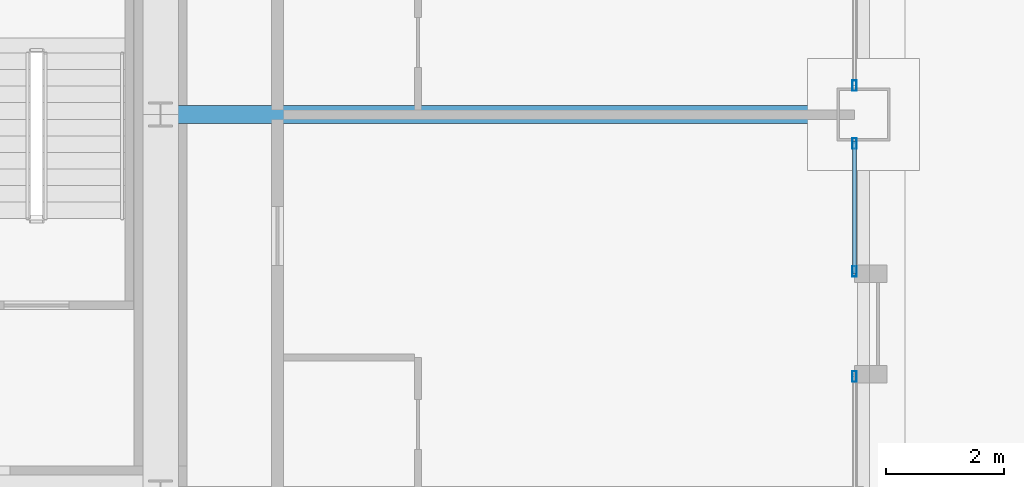
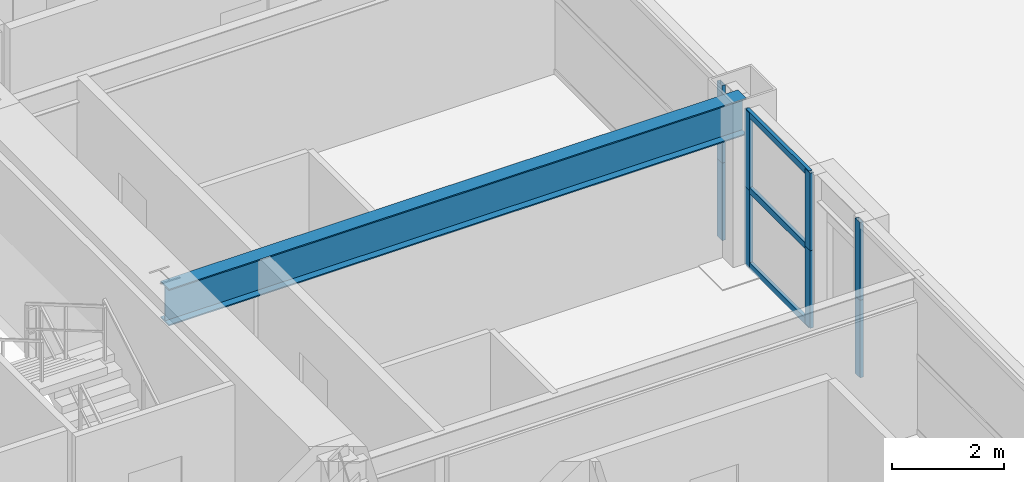
# One storey, part 19 of 45: 11 members, 1 beam, 3 elements without a shape of their own.
"""IFC4 building model written with IfcOpenShell, lengths in metres."""

from ifc_helpers import new_model, si_unit, direction, frame, origin, origin_2d, place, context, subcontext, project, spatial, hollow_rectangle, i_section, extrude, source, transform, mapped, material, layer, layer_set, material_profile, profile_set, type_object, element, aggregate, save


model = new_model("IFC4")

# Units and contexts
model_context = context("Model", 3, precision=1e-05, world=origin(), true_north=direction((0.0, 1.0)))
body_context = subcontext(model_context, "Body", "Model", "MODEL_VIEW")
ifc_project = project(units=[si_unit("LENGTHUNIT", "METRE"), si_unit("AREAUNIT", "SQUARE_METRE"), si_unit("VOLUMEUNIT", "CUBIC_METRE"), si_unit("PLANEANGLEUNIT", "RADIAN"), si_unit("MASSUNIT", "GRAM", prefix="KILO"), si_unit("THERMODYNAMICTEMPERATUREUNIT", "KELVIN"), si_unit("POWERUNIT", "WATT")], contexts=[model_context])

# Site, building, storey
site_placement = place(None, origin())
site = spatial("IfcSite", under=ifc_project, at=site_placement, CompositionType="ELEMENT")
building_placement = place(site_placement, origin())
building = spatial("IfcBuilding", under=site, at=building_placement, Name="Yuzanri Waterfront Tower", CompositionType="ELEMENT")
storey_placement = place(building_placement, frame((0.0, 0.0, 30.60009765625)))
storey = spatial("IfcBuildingStorey", under=building, at=storey_placement, Name="L07", CompositionType="ELEMENT", Elevation=30.60009765625)

# Beam
ifc_material_1 = material(Name="Steel Q355B", Category="steel")
ifc_material_profile_1 = material_profile(ifc_material_1, i_section(OverallWidth=0.300048828125, OverallDepth=0.800048828125, WebThickness=0.013916015625, FlangeThickness=0.02587890625, at=origin_2d()), Name="HN 800x300x14x26")
ifc_profile_set_1 = profile_set([ifc_material_profile_1], Name="Steel Q355B")
beam_type = type_object("IfcBeamType", Name="Primary Floor Girder Q355B HN 800x300", PredefinedType="BEAM", material=ifc_profile_set_1)
shared_shape_1 = source(origin(), body_context, "Body", "SweptSolid", [
    extrude(i_section(OverallWidth=0.300048828125, OverallDepth=0.800048828125, WebThickness=0.013916015625, FlangeThickness=0.02587890625, at=origin_2d()), origin(), (0.0, 0.0, 1.0), 11.900146484375),
])
beam_placement = place(storey_placement, frame((50.199951171875, 25.800048828125, 2.97998046875), z_axis=(1.0, 0.0, 0.0), x_axis=(0.0, 1.0, 0.0)))
element("IfcBeam", 1, at=beam_placement, inside=storey, type_object=beam_type, Name="L07 East Grid Girder", PredefinedType="BEAM", context=body_context, shape_type="MappedRepresentation", body=[
    mapped(shared_shape_1, transform((0.0, 0.0, 0.0), scale=1.0)),
])

# Curtain wall, members
ifc_material_2 = material(Name="Anodized Architectural Bronze", Category="metal")
ifc_layer = layer(ifc_material_2, 0.159912109375)
ifc_layer_set = layer_set([ifc_layer], Name="Anodized Architectural Bronze")
curtain_wall_type = type_object("IfcCurtainWallType", Name="Anodized Bronze Hotel Lower-Tier Recessed Unitized Curtain Wall 8100", PredefinedType="NOTDEFINED", material=ifc_layer_set)
curtain_wall_1_placement = place(storey_placement, origin())
curtain_wall_1 = element("IfcCurtainWall", 2, at=curtain_wall_1_placement, inside=storey, type_object=curtain_wall_type, Name="L07 Curtain Wall CW-L07-EL1", PredefinedType="NOTDEFINED")
ifc_material_3 = material(Name="Anodized Architectural Bronze", Category="metal")
ifc_material_profile_2 = material_profile(ifc_material_3, hollow_rectangle(XDim=0.070068359375, YDim=0.179931640625, WallThickness=0.00390625, at=origin_2d()), Name="CWM 70x180")
ifc_profile_set_2 = profile_set([ifc_material_profile_2], Name="Anodized Architectural Bronze")
member_type_1 = type_object("IfcMemberType", Name="Anodized Bronze Standard Curtain-Wall Mullion 70x180", PredefinedType="MULLION", material=ifc_profile_set_2)
shared_shape_2 = source(origin(), body_context, "Body", "SweptSolid", [
    extrude(hollow_rectangle(XDim=0.070068359375, YDim=0.179931640625, WallThickness=0.00390625, at=origin_2d()), origin(), (0.0, 0.0, 1.0), 1.68798828125),
])
member_1_placement = place(storey_placement, frame((61.949951171875, 21.364990234375, 0.0), z_axis=(0.0, 0.0, 1.0), x_axis=(1.0, 0.0, 0.0)))
member_1 = element("IfcMember", 3, at=member_1_placement, type_object=member_type_1, Name="CW-L07-EL1 Lower Mullion 02", PredefinedType="MULLION", context=body_context, shape_type="MappedRepresentation", body=[
    mapped(shared_shape_2, transform((0.0, 0.0, 0.0), scale=1.0)),
])
member_2_placement = place(storey_placement, frame((61.949951171875, 21.364990234375, 1.69189453125), z_axis=(0.0, 0.0, 1.0), x_axis=(1.0, 0.0, 0.0)))
member_2 = element("IfcMember", 4, at=member_2_placement, type_object=member_type_1, Name="CW-L07-EL1 Upper Mullion 02", PredefinedType="MULLION", context=body_context, shape_type="MappedRepresentation", body=[
    mapped(shared_shape_2, transform((0.0, 0.0, 0.0), scale=1.0)),
])
aggregate(curtain_wall_1, [member_1, member_2])

curtain_wall_2_placement = place(storey_placement, origin())
curtain_wall_2 = element("IfcCurtainWall", 5, at=curtain_wall_2_placement, inside=storey, type_object=curtain_wall_type, Name="L07 Curtain Wall CW-L07-EL2", PredefinedType="NOTDEFINED")
member_3_placement = place(storey_placement, frame((61.949951171875, 23.14501953125, 0.0), z_axis=(0.0, 0.0, 1.0), x_axis=(1.0, 0.0, 0.0)))
member_3 = element("IfcMember", 6, at=member_3_placement, type_object=member_type_1, Name="CW-L07-EL2 Lower Mullion 00", PredefinedType="MULLION", context=body_context, shape_type="MappedRepresentation", body=[
    mapped(shared_shape_2, transform((0.0, 0.0, 0.0), scale=1.0)),
])
member_4_placement = place(storey_placement, frame((61.949951171875, 23.14501953125, 1.69189453125), z_axis=(0.0, 0.0, 1.0), x_axis=(1.0, 0.0, 0.0)))
member_4 = element("IfcMember", 7, at=member_4_placement, type_object=member_type_1, Name="CW-L07-EL2 Upper Mullion 00", PredefinedType="MULLION", context=body_context, shape_type="MappedRepresentation", body=[
    mapped(shared_shape_2, transform((0.0, 0.0, 0.0), scale=1.0)),
])
member_5_placement = place(storey_placement, frame((61.949951171875, 25.31005859375, 0.0), z_axis=(0.0, 0.0, 1.0), x_axis=(1.0, 0.0, 0.0)))
member_5 = element("IfcMember", 8, at=member_5_placement, type_object=member_type_1, Name="CW-L07-EL2 Lower Mullion 01", PredefinedType="MULLION", context=body_context, shape_type="MappedRepresentation", body=[
    mapped(shared_shape_2, transform((0.0, 0.0, 0.0), scale=1.0)),
])
member_6_placement = place(storey_placement, frame((61.949951171875, 25.31005859375, 1.69189453125), z_axis=(0.0, 0.0, 1.0), x_axis=(1.0, 0.0, 0.0)))
member_6 = element("IfcMember", 9, at=member_6_placement, type_object=member_type_1, Name="CW-L07-EL2 Upper Mullion 01", PredefinedType="MULLION", context=body_context, shape_type="MappedRepresentation", body=[
    mapped(shared_shape_2, transform((0.0, 0.0, 0.0), scale=1.0)),
])

curtain_wall_3_placement = place(storey_placement, origin())
curtain_wall_3 = element("IfcCurtainWall", 10, at=curtain_wall_3_placement, inside=storey, type_object=curtain_wall_type, Name="L07 Curtain Wall CW-L07-ER", PredefinedType="NOTDEFINED")
member_7_placement = place(storey_placement, frame((61.949951171875, 26.2900390625, 0.0), z_axis=(0.0, 0.0, 1.0), x_axis=(1.0, 0.0, 0.0)))
member_7 = element("IfcMember", 11, at=member_7_placement, type_object=member_type_1, Name="CW-L07-ER Lower Mullion 00", PredefinedType="MULLION", context=body_context, shape_type="MappedRepresentation", body=[
    mapped(shared_shape_2, transform((0.0, 0.0, 0.0), scale=1.0)),
])
member_8_placement = place(storey_placement, frame((61.949951171875, 26.2900390625, 1.69189453125), z_axis=(0.0, 0.0, 1.0), x_axis=(1.0, 0.0, 0.0)))
member_8 = element("IfcMember", 12, at=member_8_placement, type_object=member_type_1, Name="CW-L07-ER Upper Mullion 00", PredefinedType="MULLION", context=body_context, shape_type="MappedRepresentation", body=[
    mapped(shared_shape_2, transform((0.0, 0.0, 0.0), scale=1.0)),
])
aggregate(curtain_wall_3, [member_7, member_8])

# Member
ifc_material_4 = material(Name="Anodized Architectural Bronze", Category="metal")
ifc_material_profile_3 = material_profile(ifc_material_4, hollow_rectangle(XDim=0.070068359375, YDim=0.135009765625, WallThickness=0.00341796875, at=origin_2d()), Name="CWT 70x135")
ifc_profile_set_3 = profile_set([ifc_material_profile_3], Name="Anodized Architectural Bronze")
member_type_2 = type_object("IfcMemberType", Name="Anodized Bronze Standard Curtain-Wall Transom 70x135", PredefinedType="USERDEFINED", material=ifc_profile_set_3)
shared_shape_3 = source(origin(), body_context, "Body", "SweptSolid", [
    extrude(hollow_rectangle(XDim=0.070068359375, YDim=0.135009765625, WallThickness=0.00341796875, at=origin_2d()), origin(), (0.0, 0.0, 1.0), 2.2451171875),
])
member_9_placement = place(storey_placement, frame((61.949951171875, 23.10498046875, 0.0498046875), z_axis=(0.0, 1.0, 0.0), x_axis=(-1.0, 0.0, 0.0)))
member_9 = element("IfcMember", 13, at=member_9_placement, type_object=member_type_2, Name="CW-L07-EL2 Transom 1", ObjectType="TRANSOM", PredefinedType="USERDEFINED", context=body_context, shape_type="MappedRepresentation", body=[
    mapped(shared_shape_3, transform((0.0, 0.0, 0.0), scale=1.0)),
])

member_10_placement = place(storey_placement, frame((61.949951171875, 23.10498046875, 1.68994140625), z_axis=(0.0, 1.0, 0.0), x_axis=(-1.0, 0.0, 0.0)))
member_10 = element("IfcMember", 14, at=member_10_placement, type_object=member_type_2, Name="CW-L07-EL2 Transom 2", ObjectType="TRANSOM", PredefinedType="USERDEFINED", context=body_context, shape_type="MappedRepresentation", body=[
    mapped(shared_shape_3, transform((0.0, 0.0, 0.0), scale=1.0)),
])

member_11_placement = place(storey_placement, frame((61.949951171875, 23.10498046875, 3.329833984375), z_axis=(0.0, 1.0, 0.0), x_axis=(-1.0, 0.0, 0.0)))
member_11 = element("IfcMember", 15, at=member_11_placement, type_object=member_type_2, Name="CW-L07-EL2 Transom 3", ObjectType="TRANSOM", PredefinedType="USERDEFINED", context=body_context, shape_type="MappedRepresentation", body=[
    mapped(shared_shape_3, transform((0.0, 0.0, 0.0), scale=1.0)),
])

aggregate(curtain_wall_2, [member_3, member_4, member_5, member_6, member_9, member_10, member_11])

save(model, "model.ifc")
